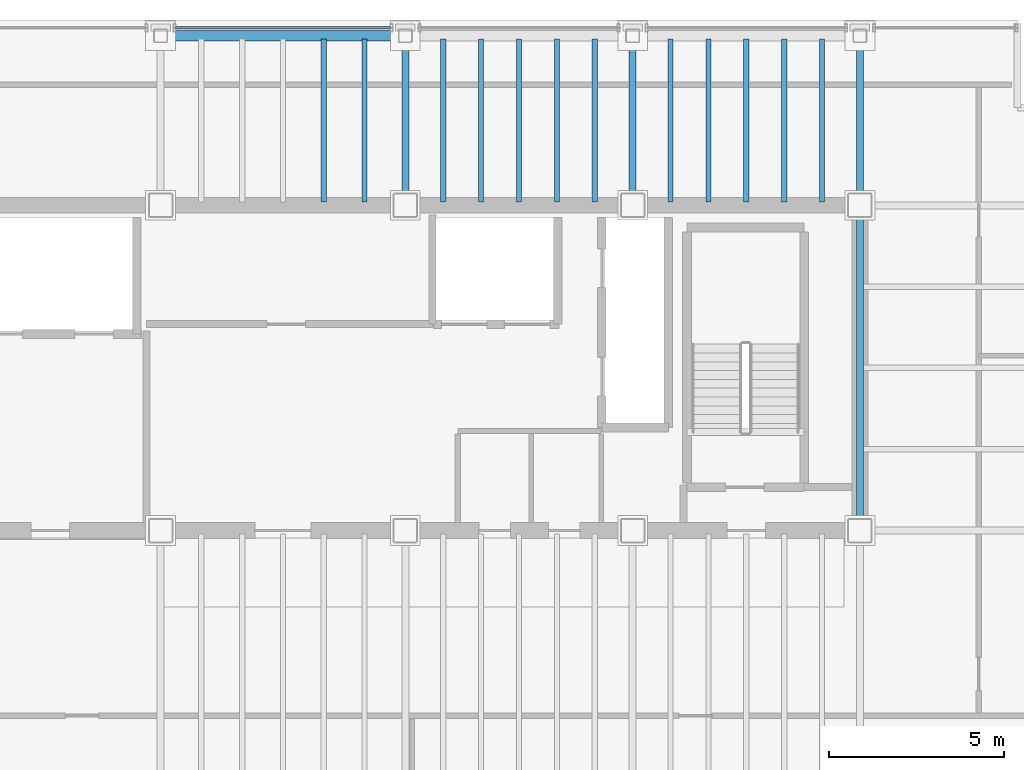
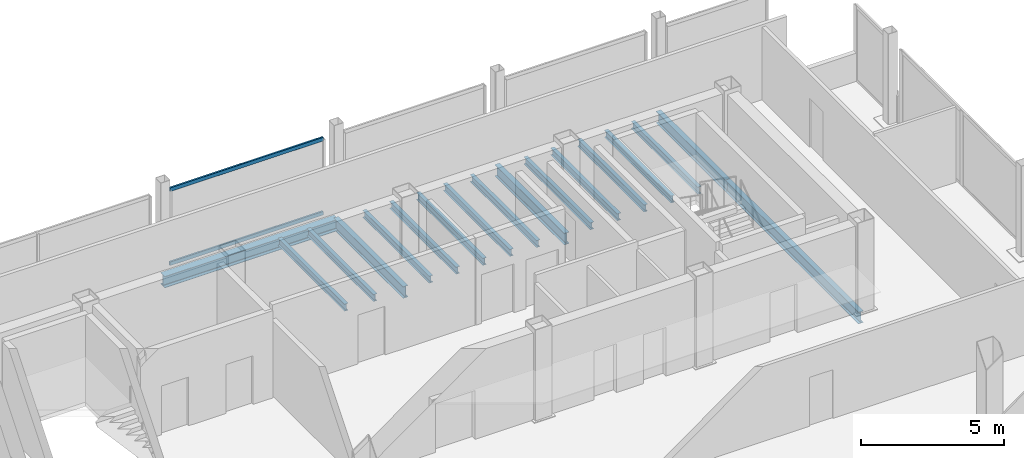
# One storey, part 10 of 17: 17 beams, 2 members, 1 element without a shape of its own.
"""IFC4 building model written with IfcOpenShell, lengths in metres."""

from ifc_helpers import new_model, si_unit, direction, frame, origin, origin_2d, place, context, subcontext, project, spatial, hollow_rectangle, i_section, extrude, material, material_profile, profile_set, type_object, element, aggregate, save


model = new_model("IFC4")

# Units and contexts
model_context = context("Model", 3, precision=1e-05, world=origin(), true_north=direction((0.0, 1.0)))
body_context = subcontext(model_context, "Body", "Model", "MODEL_VIEW")
ifc_project = project(units=[si_unit("LENGTHUNIT", "METRE"), si_unit("AREAUNIT", "SQUARE_METRE"), si_unit("VOLUMEUNIT", "CUBIC_METRE"), si_unit("PLANEANGLEUNIT", "RADIAN"), si_unit("MASSUNIT", "GRAM", prefix="KILO")], contexts=[model_context])

# Site, building, storey
site_placement = place(None, origin())
site = spatial("IfcSite", under=ifc_project, at=site_placement, CompositionType="ELEMENT")
building_placement = place(site_placement, origin())
building = spatial("IfcBuilding", under=site, at=building_placement, Name="Noeulbin Bourse Tower", CompositionType="ELEMENT")
storey_placement = place(building_placement, frame((0.0, 0.0, 285.199951171875)))
storey = spatial("IfcBuildingStorey", under=building, at=storey_placement, Name="L71", CompositionType="ELEMENT", Elevation=285.199951171875)

# Beams
ifc_material_1 = material(Name="Steel S355", Category="steel")
ifc_material_profile_1 = material_profile(ifc_material_1, i_section(OverallWidth=0.199951171875, OverallDepth=0.5, WebThickness=0.010009765625, FlangeThickness=0.01611328125, FilletRadius=0.02001953125, at=origin_2d()), Name="H-500x200x10x16", Category="LoadBearing")
ifc_profile_set_1 = profile_set([ifc_material_profile_1], Name="Steel S355")
beam_type_1 = type_object("IfcBeamType", Name="BM-GRD-500", PredefinedType="USERDEFINED", material=ifc_profile_set_1)
for number, where, z_axis, x_axis, name in (
    (1, (31.0, 38.300048828125, -0.429931640625), (0.0, 1.0, 0.0), (-1.0, 0.0, 0.0), "Tower Primary Girder NS L71-3.4"),
    (2, (37.5, 38.300048828125, -0.429931640625), (0.0, 1.0, 0.0), (-1.0, 0.0, 0.0), "Tower Primary Girder NS L71-4.4"),
):
    element("IfcBeam", number, at=place(storey_placement, frame(where, z_axis=z_axis, x_axis=x_axis)), inside=storey, type_object=beam_type_1, Name=name, ObjectType="GIRDER", PredefinedType="USERDEFINED", context=body_context, shape_type="SweptSolid", body=[
        extrude(i_section(OverallWidth=0.199951171875, OverallDepth=0.5, WebThickness=0.010009765625, FlangeThickness=0.01611328125, FilletRadius=0.02001953125, at=origin_2d()), origin(), (0.0, 0.0, 1.0), 4.849853515625),
    ])
beam_1_placement = place(storey_placement, frame((44.0, 29.0, -0.429931640625), z_axis=(0.0, 1.0, 0.0), x_axis=(-1.0, 0.0, 0.0)))
element("IfcBeam", 3, at=beam_1_placement, inside=storey, type_object=beam_type_1, Name="Tower Primary Girder NS L71-5.3", ObjectType="GIRDER", PredefinedType="USERDEFINED", context=body_context, shape_type="SweptSolid", body=[
    extrude(i_section(OverallWidth=0.199951171875, OverallDepth=0.5, WebThickness=0.010009765625, FlangeThickness=0.01611328125, FilletRadius=0.02001953125, at=origin_2d()), origin(), (0.0, 0.0, 1.0), 9.300048828125),
])
beam_2_placement = place(storey_placement, frame((44.0, 38.300048828125, -0.429931640625), z_axis=(0.0, 1.0, 0.0), x_axis=(-1.0, 0.0, 0.0)))
element("IfcBeam", 4, at=beam_2_placement, inside=storey, type_object=beam_type_1, Name="Tower Primary Girder NS L71-5.4", ObjectType="GIRDER", PredefinedType="USERDEFINED", context=body_context, shape_type="SweptSolid", body=[
    extrude(i_section(OverallWidth=0.199951171875, OverallDepth=0.5, WebThickness=0.010009765625, FlangeThickness=0.01611328125, FilletRadius=0.02001953125, at=origin_2d()), origin(), (0.0, 0.0, 1.0), 4.849853515625),
])
ifc_material_profile_2 = material_profile(ifc_material_1, i_section(OverallWidth=0.14990234375, OverallDepth=0.300048828125, WebThickness=0.006591796875, FlangeThickness=0.009033203125, FilletRadius=0.012939453125, at=origin_2d()), Name="H-300x150x6.5x9", Category="LoadBearing")
ifc_profile_set_2 = profile_set([ifc_material_profile_2], Name="Steel S355")
beam_type_2 = type_object("IfcBeamType", Name="BM-JST-300", PredefinedType="JOIST", material=ifc_profile_set_2)
for number, where, z_axis, x_axis, name in (
    (5, (28.666748046875, 38.39990234375, -0.329833984375), (0.0, 1.0, 0.0), (-1.0, 0.0, 0.0), "Tower Composite Joist L71-08"),
    (6, (29.833251953125, 38.39990234375, -0.329833984375), (0.0, 1.0, 0.0), (-1.0, 0.0, 0.0), "Tower Composite Joist L71-10"),
    (7, (32.083251953125, 38.39990234375, -0.329833984375), (0.0, 1.0, 0.0), (-1.0, 0.0, 0.0), "Tower Composite Joist L71-12"),
    (8, (33.166748046875, 38.39990234375, -0.329833984375), (0.0, 1.0, 0.0), (-1.0, 0.0, 0.0), "Tower Composite Joist L71-14"),
    (9, (34.25, 38.39990234375, -0.329833984375), (0.0, 1.0, 0.0), (-1.0, 0.0, 0.0), "Tower Composite Joist L71-16"),
    (10, (35.333251953125, 38.39990234375, -0.329833984375), (0.0, 1.0, 0.0), (-1.0, 0.0, 0.0), "Tower Composite Joist L71-18"),
    (11, (36.416748046875, 38.39990234375, -0.329833984375), (0.0, 1.0, 0.0), (-1.0, 0.0, 0.0), "Tower Composite Joist L71-20"),
    (12, (38.583251953125, 38.39990234375, -0.329833984375), (0.0, 1.0, 0.0), (-1.0, 0.0, 0.0), "Tower Composite Joist L71-22"),
    (13, (39.666748046875, 38.39990234375, -0.329833984375), (0.0, 1.0, 0.0), (-1.0, 0.0, 0.0), "Tower Composite Joist L71-24"),
    (14, (40.75, 38.39990234375, -0.329833984375), (0.0, 1.0, 0.0), (-1.0, 0.0, 0.0), "Tower Composite Joist L71-26"),
    (15, (41.833251953125, 38.39990234375, -0.329833984375), (0.0, 1.0, 0.0), (-1.0, 0.0, 0.0), "Tower Composite Joist L71-28"),
    (16, (42.916748046875, 38.39990234375, -0.329833984375), (0.0, 1.0, 0.0), (-1.0, 0.0, 0.0), "Tower Composite Joist L71-30"),
):
    element("IfcBeam", number, at=place(storey_placement, frame(where, z_axis=z_axis, x_axis=x_axis)), inside=storey, type_object=beam_type_2, Name=name, PredefinedType="JOIST", context=body_context, shape_type="SweptSolid", body=[
        extrude(i_section(OverallWidth=0.14990234375, OverallDepth=0.300048828125, WebThickness=0.006591796875, FlangeThickness=0.009033203125, FilletRadius=0.012939453125, at=origin_2d()), origin(), (0.0, 0.0, 1.0), 4.650146484375),
    ])
ifc_material_profile_3 = material_profile(ifc_material_1, i_section(OverallWidth=0.300048828125, OverallDepth=0.488037109375, WebThickness=0.010986328125, FlangeThickness=0.01806640625, FilletRadius=0.02197265625, at=origin_2d()), Name="H-488x300x11x18", Category="LoadBearing")
ifc_profile_set_3 = profile_set([ifc_material_profile_3], Name="Steel S355")
beam_type_3 = type_object("IfcBeamType", Name="BM-SPN-488", PredefinedType="SPANDREL", material=ifc_profile_set_3)
beam_3_placement = place(storey_placement, frame((24.0, 43.14990234375, -0.424072265625), z_axis=(1.0, 0.0, 0.0), x_axis=(0.0, 1.0, 0.0)))
element("IfcBeam", 17, at=beam_3_placement, inside=storey, type_object=beam_type_3, Name="North Spandrel L71-1", PredefinedType="SPANDREL", context=body_context, shape_type="SweptSolid", body=[
    extrude(i_section(OverallWidth=0.300048828125, OverallDepth=0.488037109375, WebThickness=0.010986328125, FlangeThickness=0.01806640625, FilletRadius=0.02197265625, at=origin_2d()), origin(), (0.0, 0.0, 1.0), 7.0),
])

# Curtain wall, members
ifc_material_2 = material(Name="High-Selectivity Low-Iron Glazing", Category="glass")
curtain_wall_type = type_object("IfcCurtainWallType", Name="CW-SYS-4", PredefinedType="NOTDEFINED", material=ifc_material_2)
curtain_wall_placement = place(storey_placement, origin())
curtain_wall = element("IfcCurtainWall", 18, at=curtain_wall_placement, inside=storey, type_object=curtain_wall_type, Name="Unitised Curtain Wall CW-L71-N-S2", PredefinedType="NOTDEFINED")
ifc_material_3 = material(Name="Anodised Aluminium 6063-T6", Category="aluminium")
ifc_material_profile_4 = material_profile(ifc_material_3, hollow_rectangle(XDim=0.074951171875, YDim=0.159912109375, WallThickness=0.0048828125, InnerFilletRadius=0.00244140625, OuterFilletRadius=0.0048828125, at=origin_2d()), Name="ALU-TRAN-75x160x5", Category="LoadBearing")
ifc_profile_set_4 = profile_set([ifc_material_profile_4], Name="Anodised Aluminium 6063-T6")
member_type = type_object("IfcMemberType", Name="CW-SYS-4-TRN", PredefinedType="USERDEFINED", material=ifc_profile_set_4)
member_1_placement = place(storey_placement, frame((24.409912109375, 43.3798828125, 0.010009765625), z_axis=(1.0, 0.0, 0.0), x_axis=(0.0, 1.0, 0.0)))
member_1 = element("IfcMember", 19, at=member_1_placement, type_object=member_type, Name="Curtain Wall Transom CW-L71-N-S2-T00", ObjectType="TRANSOM", PredefinedType="USERDEFINED", context=body_context, shape_type="SweptSolid", body=[
    extrude(hollow_rectangle(XDim=0.074951171875, YDim=0.159912109375, WallThickness=0.0048828125, InnerFilletRadius=0.00244140625, OuterFilletRadius=0.0048828125, at=origin_2d()), origin(), (0.0, 0.0, 1.0), 6.18017578125),
])
member_2_placement = place(storey_placement, frame((24.409912109375, 43.3798828125, 3.170166015625), z_axis=(1.0, 0.0, 0.0), x_axis=(0.0, 1.0, 0.0)))
member_2 = element("IfcMember", 20, at=member_2_placement, type_object=member_type, Name="Curtain Wall Transom CW-L71-N-S2-T01", ObjectType="TRANSOM", PredefinedType="USERDEFINED", context=body_context, shape_type="SweptSolid", body=[
    extrude(hollow_rectangle(XDim=0.074951171875, YDim=0.159912109375, WallThickness=0.0048828125, InnerFilletRadius=0.00244140625, OuterFilletRadius=0.0048828125, at=origin_2d()), origin(), (0.0, 0.0, 1.0), 6.18017578125),
])
aggregate(curtain_wall, [member_1, member_2])

save(model, "model.ifc")
